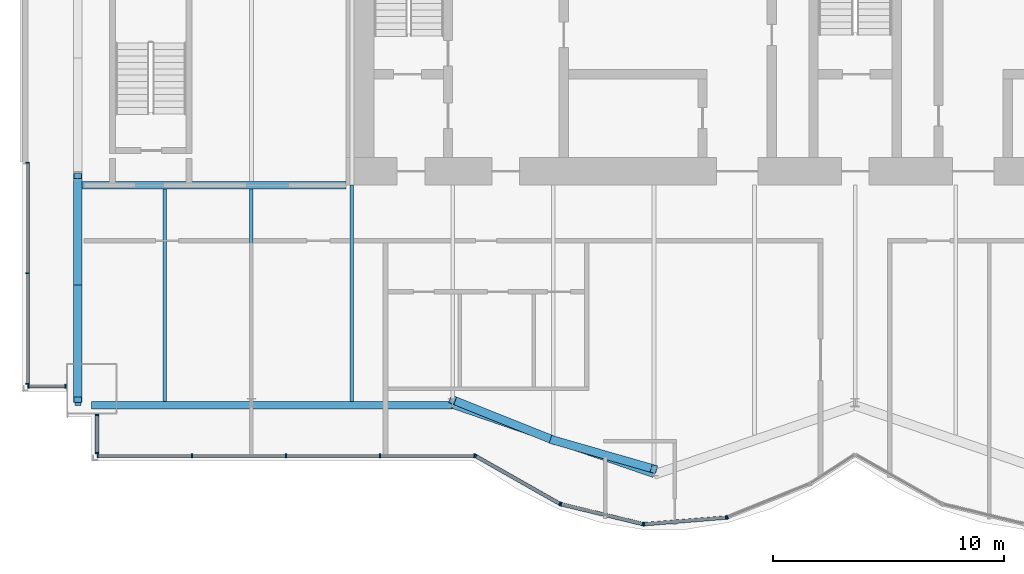
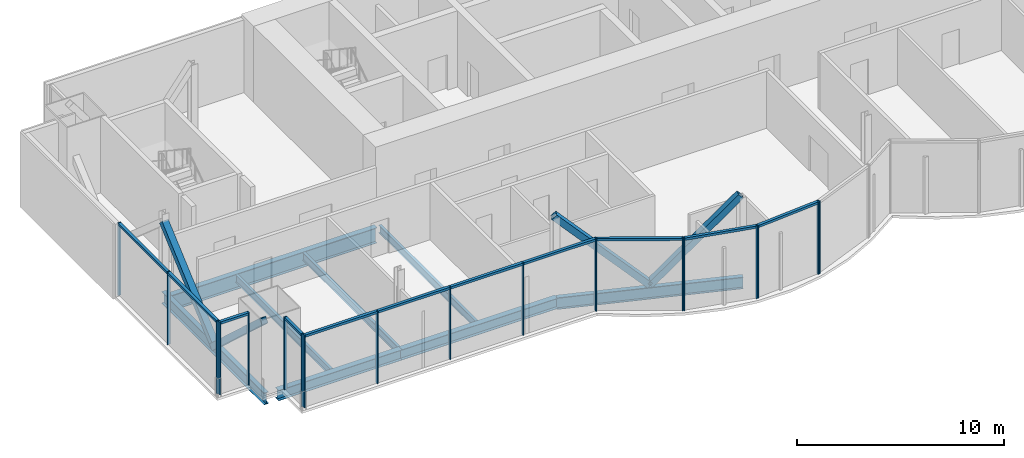
# One storey, part 3 of 16: 34 members, 8 beams, 5 elements without a shape of their own.
"""IFC4 building model written with IfcOpenShell, lengths in metres."""

from ifc_helpers import new_model, si_unit, direction, frame, origin, origin_2d, place, context, subcontext, project, spatial, rectangle, hollow_rectangle, i_section, extrude, material, material_profile, profile_set, type_object, element, aggregate, save


model = new_model("IFC4")

# Units and contexts
model_context = context("Model", 3, precision=1e-05, world=origin(), true_north=direction((0.0, 1.0)))
body_context = subcontext(model_context, "Body", "Model", "MODEL_VIEW")
ifc_project = project(units=[si_unit("LENGTHUNIT", "METRE"), si_unit("AREAUNIT", "SQUARE_METRE"), si_unit("VOLUMEUNIT", "CUBIC_METRE"), si_unit("PLANEANGLEUNIT", "RADIAN"), si_unit("MASSUNIT", "GRAM", prefix="KILO")], contexts=[model_context])

# Site, building, storey
site_placement = place(None, origin())
site = spatial("IfcSite", under=ifc_project, at=site_placement, CompositionType="ELEMENT")
building_placement = place(site_placement, origin())
building = spatial("IfcBuilding", under=site, at=building_placement, Name="Bicima Exchange Tower", CompositionType="ELEMENT")
storey_placement = place(building_placement, frame((0.0, 0.0, 338.0)))
storey = spatial("IfcBuildingStorey", under=building, at=storey_placement, Name="L76", CompositionType="ELEMENT", Elevation=338.0)

# Beam
ifc_material_1 = material(Name="Steel ASTM A992 Gr 50", Category="steel")
ifc_material_profile_1 = material_profile(ifc_material_1, i_section(OverallWidth=0.3046875, OverallDepth=0.911865234375, WebThickness=0.015869140625, FlangeThickness=0.02392578125, at=origin_2d()))
ifc_profile_set_1 = profile_set([ifc_material_profile_1], Name="Steel ASTM A992 Gr 50")
beam_type_1 = type_object("IfcBeamType", Name="Core-line girder W36x150", PredefinedType="BEAM", material=ifc_profile_set_1)
beam_1_placement = place(storey_placement, frame((-22.0, -13.0, -0.60595703125), z_axis=(-1.0, 0.0, 0.0), x_axis=(0.0, -1.0, 0.0)))
element("IfcBeam", 1, at=beam_1_placement, inside=storey, type_object=beam_type_1, Name="Core-line girder", PredefinedType="BEAM", context=body_context, shape_type="SweptSolid", body=[
    extrude(i_section(OverallWidth=0.3046875, OverallDepth=0.911865234375, WebThickness=0.015869140625, FlangeThickness=0.02392578125, at=origin_2d()), origin(), (0.0, 0.0, 1.0), 11.60009765625),
])

# Curtain wall, members
ifc_material_2 = material(Name="Anodised bronze aluminium", Category="aluminium")
curtain_wall_type_1 = type_object("IfcCurtainWallType", Name="End face glass wall", PredefinedType="NOTDEFINED", material=ifc_material_2)
curtain_wall_1_placement = place(storey_placement, origin())
curtain_wall_1 = element("IfcCurtainWall", 2, at=curtain_wall_1_placement, inside=storey, type_object=curtain_wall_type_1, Name="End face glass wall L76 run 2", PredefinedType="NOTDEFINED")
ifc_material_profile_2 = material_profile(ifc_material_2, rectangle(XDim=0.159912109375, YDim=0.06005859375, at=origin_2d()))
ifc_profile_set_2 = profile_set([ifc_material_profile_2], Name="Anodised bronze aluminium")
member_type_1 = type_object("IfcMemberType", Name="End face glass wall mullion 60 x 160", PredefinedType="MULLION", material=ifc_profile_set_2)
member_1_placement = place(storey_placement, frame((-35.77001953125, -12.030029296875, 0.0), z_axis=(0.0, 0.0, 1.0), x_axis=(1.0, 0.0, 0.0)))
member_1 = element("IfcMember", 3, at=member_1_placement, type_object=member_type_1, Name="End face glass wall mullion 1", PredefinedType="MULLION", context=body_context, shape_type="SweptSolid", body=[
    extrude(rectangle(XDim=0.159912109375, YDim=0.06005859375, at=origin_2d()), origin(), (0.0, 0.0, 1.0), 4.300048828125),
])
member_2_placement = place(storey_placement, frame((-35.77001953125, -16.804931640625, 0.0), z_axis=(0.0, 0.0, 1.0), x_axis=(1.0, 0.0, 0.0)))
member_2 = element("IfcMember", 4, at=member_2_placement, type_object=member_type_1, Name="End face glass wall mullion 2", PredefinedType="MULLION", context=body_context, shape_type="SweptSolid", body=[
    extrude(rectangle(XDim=0.159912109375, YDim=0.06005859375, at=origin_2d()), origin(), (0.0, 0.0, 1.0), 4.300048828125),
])
member_3_placement = place(storey_placement, frame((-35.77001953125, -21.580078125, 0.0), z_axis=(0.0, 0.0, 1.0), x_axis=(1.0, 0.0, 0.0)))
member_3 = element("IfcMember", 5, at=member_3_placement, type_object=member_type_1, Name="End face glass wall mullion 3", PredefinedType="MULLION", context=body_context, shape_type="SweptSolid", body=[
    extrude(rectangle(XDim=0.159912109375, YDim=0.06005859375, at=origin_2d()), origin(), (0.0, 0.0, 1.0), 4.300048828125),
])
ifc_material_profile_3 = material_profile(ifc_material_2, rectangle(XDim=0.159912109375, YDim=0.139892578125, at=origin_2d()))
ifc_profile_set_3 = profile_set([ifc_material_profile_3], Name="Anodised bronze aluminium")
member_type_2 = type_object("IfcMemberType", Name="End face glass wall transom 140 x 160", PredefinedType="USERDEFINED", material=ifc_profile_set_3)
member_4_placement = place(storey_placement, frame((-35.77001953125, -12.06005859375, 4.22998046875), z_axis=(0.0, -1.0, 0.0), x_axis=(1.0, 0.0, 0.0)))
member_4 = element("IfcMember", 6, at=member_4_placement, type_object=member_type_2, Name="End face glass wall transom 1.1", ObjectType="TRANSOM", PredefinedType="USERDEFINED", context=body_context, shape_type="SweptSolid", body=[
    extrude(rectangle(XDim=0.159912109375, YDim=0.139892578125, at=origin_2d()), origin(), (0.0, 0.0, 1.0), 4.71484375),
])
member_5_placement = place(storey_placement, frame((-35.77001953125, -16.8349609375, 4.22998046875), z_axis=(0.0, -1.0, 0.0), x_axis=(1.0, 0.0, 0.0)))
member_5 = element("IfcMember", 7, at=member_5_placement, type_object=member_type_2, Name="End face glass wall transom 2.1", ObjectType="TRANSOM", PredefinedType="USERDEFINED", context=body_context, shape_type="SweptSolid", body=[
    extrude(rectangle(XDim=0.159912109375, YDim=0.139892578125, at=origin_2d()), origin(), (0.0, 0.0, 1.0), 4.715087890625),
])
aggregate(curtain_wall_1, [member_1, member_2, member_3, member_4, member_5])

# Beams
ifc_material_profile_4 = material_profile(ifc_material_1, i_section(OverallWidth=0.256591796875, OverallDepth=0.693359375, WebThickness=0.014404296875, FlangeThickness=0.023681640625, at=origin_2d()))
ifc_profile_set_4 = profile_set([ifc_material_profile_4], Name="Steel ASTM A992 Gr 50")
beam_type_2 = type_object("IfcBeamType", Name="End girder W27x114", PredefinedType="BEAM", material=ifc_profile_set_4)
beam_2_placement = place(storey_placement, frame((-33.60009765625, -12.60009765625, -0.49658203125), z_axis=(0.0, -1.0, 0.0), x_axis=(1.0, 0.0, 0.0)))
element("IfcBeam", 8, at=beam_2_placement, inside=storey, type_object=beam_type_2, Name="End girder", PredefinedType="BEAM", context=body_context, shape_type="SweptSolid", body=[
    extrude(i_section(OverallWidth=0.256591796875, OverallDepth=0.693359375, WebThickness=0.014404296875, FlangeThickness=0.023681640625, at=origin_2d()), origin(), (0.0, 0.0, 1.0), 9.919921875),
])
ifc_material_profile_5 = material_profile(ifc_material_1, i_section(OverallWidth=0.15283203125, OverallDepth=0.45458984375, WebThickness=0.008056640625, FlangeThickness=0.013427734375, at=origin_2d()))
ifc_profile_set_5 = profile_set([ifc_material_profile_5], Name="Steel ASTM A992 Gr 50")
beam_type_3 = type_object("IfcBeamType", Name="Floor beam W18x40", PredefinedType="JOIST", material=ifc_profile_set_5)
for number, where, z_axis, x_axis, name in (
    (9, (-29.85009765625, -13.15234375, -0.377197265625), (0.0, -1.0, 0.0), (1.0, 0.0, 0.0), "Floor beam"),
    (10, (-26.10009765625, -13.15234375, -0.377197265625), (0.0, -1.0, 0.0), (1.0, 0.0, 0.0), "Floor beam"),
):
    element("IfcBeam", number, at=place(storey_placement, frame(where, z_axis=z_axis, x_axis=x_axis)), inside=storey, type_object=beam_type_3, Name=name, PredefinedType="JOIST", context=body_context, shape_type="SweptSolid", body=[
        extrude(i_section(OverallWidth=0.15283203125, OverallDepth=0.45458984375, WebThickness=0.008056640625, FlangeThickness=0.013427734375, at=origin_2d()), origin(), (0.0, 0.0, 1.0), 9.205078125),
    ])
beam_3_placement = place(storey_placement, frame((-21.75, -13.0, -0.377197265625), z_axis=(0.0, -1.0, 0.0), x_axis=(1.0, 0.0, 0.0)))
element("IfcBeam", 11, at=beam_3_placement, inside=storey, type_object=beam_type_3, Name="Floor beam", PredefinedType="JOIST", context=body_context, shape_type="SweptSolid", body=[
    extrude(i_section(OverallWidth=0.15283203125, OverallDepth=0.45458984375, WebThickness=0.008056640625, FlangeThickness=0.013427734375, at=origin_2d()), origin(), (0.0, 0.0, 1.0), 9.357421875),
])
ifc_material_profile_6 = material_profile(ifc_material_1, i_section(OverallWidth=0.3251953125, OverallDepth=0.612060546875, WebThickness=0.0126953125, FlangeThickness=0.01904296875, at=origin_2d()))
ifc_profile_set_6 = profile_set([ifc_material_profile_6], Name="Steel ASTM A992 Gr 50")
beam_type_4 = type_object("IfcBeamType", Name="Front girder W24x104", PredefinedType="BEAM", material=ifc_profile_set_6)
beam_4_placement = place(storey_placement, frame((-33.0, -22.52001953125, -0.4560546875), z_axis=(1.0, 0.0, 0.0), x_axis=(0.0, 1.0, 0.0)))
element("IfcBeam", 12, at=beam_4_placement, inside=storey, type_object=beam_type_4, Name="Front girder", PredefinedType="BEAM", context=body_context, shape_type="SweptSolid", body=[
    extrude(i_section(OverallWidth=0.3251953125, OverallDepth=0.612060546875, WebThickness=0.0126953125, FlangeThickness=0.01904296875, at=origin_2d()), origin(), (0.0, 0.0, 1.0), 6.89990234375),
])
beam_5_placement = place(storey_placement, frame((-26.10009765625, -22.52001953125, -0.4560546875), z_axis=(1.0, 0.0, 0.0), x_axis=(0.0, 1.0, 0.0)))
element("IfcBeam", 13, at=beam_5_placement, inside=storey, type_object=beam_type_4, Name="Front girder", PredefinedType="BEAM", context=body_context, shape_type="SweptSolid", body=[
    extrude(i_section(OverallWidth=0.3251953125, OverallDepth=0.612060546875, WebThickness=0.0126953125, FlangeThickness=0.01904296875, at=origin_2d()), origin(), (0.0, 0.0, 1.0), 8.7001953125),
])
beam_type_5 = type_object("IfcBeamType", Name="Front girder W27x114", PredefinedType="BEAM", material=ifc_profile_set_4)
beam_6_placement = place(storey_placement, frame((-17.39990234375, -22.52001953125, -0.49658203125), z_axis=(0.945674616091, -0.32511462668, 0.0), x_axis=(0.32511462668, 0.945674616091, 0.0)))
element("IfcBeam", 14, at=beam_6_placement, inside=storey, type_object=beam_type_5, Name="Front girder", PredefinedType="BEAM", context=body_context, shape_type="SweptSolid", body=[
    extrude(i_section(OverallWidth=0.256591796875, OverallDepth=0.693359375, WebThickness=0.014404296875, FlangeThickness=0.023681640625, at=origin_2d()), origin(), (0.0, 0.0, 1.0), 9.19970703125),
])

# Curtain wall, members
curtain_wall_type_2 = type_object("IfcCurtainWallType", Name="Front glass wall", PredefinedType="NOTDEFINED", material=ifc_material_2)
curtain_wall_2_placement = place(storey_placement, origin())
curtain_wall_2 = element("IfcCurtainWall", 15, at=curtain_wall_2_placement, inside=storey, type_object=curtain_wall_type_2, Name="Front glass wall L76 run 3", PredefinedType="NOTDEFINED")
member_type_3 = type_object("IfcMemberType", Name="Front glass wall mullion 60 x 160", PredefinedType="MULLION", material=ifc_profile_set_2)
member_6_placement = place(storey_placement, frame((-35.739990234375, -21.68994140625, 0.0), z_axis=(0.0, 0.0, 1.0), x_axis=(0.0, 1.0, 0.0)))
member_6 = element("IfcMember", 16, at=member_6_placement, type_object=member_type_3, Name="Front glass wall mullion 1", PredefinedType="MULLION", context=body_context, shape_type="SweptSolid", body=[
    extrude(rectangle(XDim=0.159912109375, YDim=0.06005859375, at=origin_2d()), origin(), (0.0, 0.0, 1.0), 4.300048828125),
])
member_7_placement = place(storey_placement, frame((-34.1298828125, -21.68994140625, 0.0), z_axis=(0.0, 0.0, 1.0), x_axis=(0.0, 1.0, 0.0)))
member_7 = element("IfcMember", 17, at=member_7_placement, type_object=member_type_3, Name="Front glass wall mullion 2", PredefinedType="MULLION", context=body_context, shape_type="SweptSolid", body=[
    extrude(rectangle(XDim=0.159912109375, YDim=0.06005859375, at=origin_2d()), origin(), (0.0, 0.0, 1.0), 4.300048828125),
])

curtain_wall_3_placement = place(storey_placement, origin())
curtain_wall_3 = element("IfcCurtainWall", 18, at=curtain_wall_3_placement, inside=storey, type_object=curtain_wall_type_2, Name="Front glass wall L76 run 4", PredefinedType="NOTDEFINED")
member_8_placement = place(storey_placement, frame((-32.77001953125, -22.927978515625, 0.0), z_axis=(0.0, 0.0, 1.0), x_axis=(1.0, 0.0, 0.0)))
member_8 = element("IfcMember", 19, at=member_8_placement, type_object=member_type_3, Name="Front glass wall mullion 1", PredefinedType="MULLION", context=body_context, shape_type="SweptSolid", body=[
    extrude(rectangle(XDim=0.159912109375, YDim=0.06005859375, at=origin_2d()), origin(), (0.0, 0.0, 1.0), 4.300048828125),
])
member_9_placement = place(storey_placement, frame((-32.77001953125, -24.580078125, 0.0), z_axis=(0.0, 0.0, 1.0), x_axis=(1.0, 0.0, 0.0)))
member_9 = element("IfcMember", 20, at=member_9_placement, type_object=member_type_3, Name="Front glass wall mullion 2", PredefinedType="MULLION", context=body_context, shape_type="SweptSolid", body=[
    extrude(rectangle(XDim=0.159912109375, YDim=0.06005859375, at=origin_2d()), origin(), (0.0, 0.0, 1.0), 4.300048828125),
])

curtain_wall_4_placement = place(storey_placement, origin())
curtain_wall_4 = element("IfcCurtainWall", 21, at=curtain_wall_4_placement, inside=storey, type_object=curtain_wall_type_2, Name="Front glass wall L76 run 5", PredefinedType="NOTDEFINED")
member_10_placement = place(storey_placement, frame((-32.739990234375, -24.68994140625, 0.0), z_axis=(0.0, 0.0, 1.0), x_axis=(0.0, 1.0, 0.0)))
member_10 = element("IfcMember", 22, at=member_10_placement, type_object=member_type_3, Name="Front glass wall mullion 1", PredefinedType="MULLION", context=body_context, shape_type="SweptSolid", body=[
    extrude(rectangle(XDim=0.159912109375, YDim=0.06005859375, at=origin_2d()), origin(), (0.0, 0.0, 1.0), 4.300048828125),
])
member_11_placement = place(storey_placement, frame((-28.67041015625, -24.68994140625, 0.0), z_axis=(0.0, 0.0, 1.0), x_axis=(0.0, 1.0, 0.0)))
member_11 = element("IfcMember", 23, at=member_11_placement, type_object=member_type_3, Name="Front glass wall mullion 2", PredefinedType="MULLION", context=body_context, shape_type="SweptSolid", body=[
    extrude(rectangle(XDim=0.159912109375, YDim=0.06005859375, at=origin_2d()), origin(), (0.0, 0.0, 1.0), 4.300048828125),
])
member_12_placement = place(storey_placement, frame((-24.60107421875, -24.68994140625, 0.0), z_axis=(0.0, 0.0, 1.0), x_axis=(0.0, 1.0, 0.0)))
member_12 = element("IfcMember", 24, at=member_12_placement, type_object=member_type_3, Name="Front glass wall mullion 3", PredefinedType="MULLION", context=body_context, shape_type="SweptSolid", body=[
    extrude(rectangle(XDim=0.159912109375, YDim=0.06005859375, at=origin_2d()), origin(), (0.0, 0.0, 1.0), 4.300048828125),
])
member_13_placement = place(storey_placement, frame((-20.531494140625, -24.68994140625, 0.0), z_axis=(0.0, 0.0, 1.0), x_axis=(0.0, 1.0, 0.0)))
member_13 = element("IfcMember", 25, at=member_13_placement, type_object=member_type_3, Name="Front glass wall mullion 4", PredefinedType="MULLION", context=body_context, shape_type="SweptSolid", body=[
    extrude(rectangle(XDim=0.159912109375, YDim=0.06005859375, at=origin_2d()), origin(), (0.0, 0.0, 1.0), 4.300048828125),
])
member_14_placement = place(storey_placement, frame((-16.462158203125, -24.68994140625, 0.0), z_axis=(0.0, 0.0, 1.0), x_axis=(0.0, 1.0, 0.0)))
member_14 = element("IfcMember", 26, at=member_14_placement, type_object=member_type_3, Name="Front glass wall mullion 5", PredefinedType="MULLION", context=body_context, shape_type="SweptSolid", body=[
    extrude(rectangle(XDim=0.159912109375, YDim=0.06005859375, at=origin_2d()), origin(), (0.0, 0.0, 1.0), 4.300048828125),
])

curtain_wall_5_placement = place(storey_placement, origin())
curtain_wall_5 = element("IfcCurtainWall", 27, at=curtain_wall_5_placement, inside=storey, type_object=curtain_wall_type_2, Name="Front glass wall L76 run 6", PredefinedType="NOTDEFINED")
member_15_placement = place(storey_placement, frame((-16.406005859375, -24.704833984375, 0.0), z_axis=(0.0, 0.0, 1.0), x_axis=(0.493395449343, 0.869805110681, 0.0)))
member_15 = element("IfcMember", 28, at=member_15_placement, type_object=member_type_3, Name="Front glass wall mullion 1", PredefinedType="MULLION", context=body_context, shape_type="SweptSolid", body=[
    extrude(rectangle(XDim=0.159912109375, YDim=0.06005859375, at=origin_2d()), origin(), (0.0, 0.0, 1.0), 4.300048828125),
])
member_16_placement = place(storey_placement, frame((-12.7734375, -26.765380859375, 0.0), z_axis=(0.0, 0.0, 1.0), x_axis=(0.493395449343, 0.869805110681, 0.0)))
member_16 = element("IfcMember", 29, at=member_16_placement, type_object=member_type_3, Name="Front glass wall mullion 2", PredefinedType="MULLION", context=body_context, shape_type="SweptSolid", body=[
    extrude(rectangle(XDim=0.159912109375, YDim=0.06005859375, at=origin_2d()), origin(), (0.0, 0.0, 1.0), 4.300048828125),
])
member_17_placement = place(storey_placement, frame((-12.718017578125, -26.787353515625, 0.0), z_axis=(0.0, 0.0, 1.0), x_axis=(0.235681529503, 0.971830343553, 0.0)))
member_17 = element("IfcMember", 30, at=member_17_placement, type_object=member_type_3, Name="Front glass wall mullion 1", PredefinedType="MULLION", context=body_context, shape_type="SweptSolid", body=[
    extrude(rectangle(XDim=0.159912109375, YDim=0.06005859375, at=origin_2d()), origin(), (0.0, 0.0, 1.0), 4.300048828125),
])
member_18_placement = place(storey_placement, frame((-9.177490234375, -27.64599609375, 0.0), z_axis=(0.0, 0.0, 1.0), x_axis=(0.235681529503, 0.971830343553, 0.0)))
member_18 = element("IfcMember", 31, at=member_18_placement, type_object=member_type_3, Name="Front glass wall mullion 2", PredefinedType="MULLION", context=body_context, shape_type="SweptSolid", body=[
    extrude(rectangle(XDim=0.159912109375, YDim=0.06005859375, at=origin_2d()), origin(), (0.0, 0.0, 1.0), 4.300048828125),
])
member_19_placement = place(storey_placement, frame((-9.118408203125, -27.650634765625, 0.0), z_axis=(0.0, 0.0, 1.0), x_axis=(-0.080588612633, 0.99674744821, 0.0)))
member_19 = element("IfcMember", 32, at=member_19_placement, type_object=member_type_3, Name="Front glass wall mullion 1", PredefinedType="MULLION", context=body_context, shape_type="SweptSolid", body=[
    extrude(rectangle(XDim=0.159912109375, YDim=0.06005859375, at=origin_2d()), origin(), (0.0, 0.0, 1.0), 4.300048828125),
])
member_20_placement = place(storey_placement, frame((-5.583984375, -27.36474609375, 0.0), z_axis=(0.0, 0.0, 1.0), x_axis=(-0.080588612633, 0.99674744821, 0.0)))
member_20 = element("IfcMember", 33, at=member_20_placement, type_object=member_type_3, Name="Front glass wall mullion 2", PredefinedType="MULLION", context=body_context, shape_type="SweptSolid", body=[
    extrude(rectangle(XDim=0.159912109375, YDim=0.06005859375, at=origin_2d()), origin(), (0.0, 0.0, 1.0), 4.300048828125),
])
member_21_placement = place(storey_placement, frame((-5.526123046875, -27.351318359375, 0.0), z_axis=(0.0, 0.0, 1.0), x_axis=(-0.374705304, 0.92714396679, 0.0)))
member_21 = element("IfcMember", 34, at=member_21_placement, type_object=member_type_3, Name="Front glass wall mullion 1", PredefinedType="MULLION", context=body_context, shape_type="SweptSolid", body=[
    extrude(rectangle(XDim=0.159912109375, YDim=0.06005859375, at=origin_2d()), origin(), (0.0, 0.0, 1.0), 4.300048828125),
])

# Member
member_type_4 = type_object("IfcMemberType", Name="Front glass wall transom 140 x 160", PredefinedType="USERDEFINED", material=ifc_profile_set_3)
member_22_placement = place(storey_placement, frame((-35.7099609375, -21.68994140625, 4.22998046875), z_axis=(1.0, 0.0, 0.0), x_axis=(0.0, 1.0, 0.0)))
member_22 = element("IfcMember", 35, at=member_22_placement, type_object=member_type_4, Name="Front glass wall transom 1.1", ObjectType="TRANSOM", PredefinedType="USERDEFINED", context=body_context, shape_type="SweptSolid", body=[
    extrude(rectangle(XDim=0.159912109375, YDim=0.139892578125, at=origin_2d()), origin(), (0.0, 0.0, 1.0), 1.550048828125),
])

aggregate(curtain_wall_2, [member_6, member_7, member_22])

member_23_placement = place(storey_placement, frame((-32.77001953125, -22.9580078125, 4.22998046875), z_axis=(0.0, -1.0, 0.0), x_axis=(1.0, 0.0, 0.0)))
member_23 = element("IfcMember", 36, at=member_23_placement, type_object=member_type_4, Name="Front glass wall transom 1.1", ObjectType="TRANSOM", PredefinedType="USERDEFINED", context=body_context, shape_type="SweptSolid", body=[
    extrude(rectangle(XDim=0.159912109375, YDim=0.139892578125, at=origin_2d()), origin(), (0.0, 0.0, 1.0), 1.592041015625),
])

aggregate(curtain_wall_3, [member_8, member_9, member_23])

member_24_placement = place(storey_placement, frame((-32.7099609375, -24.68994140625, 4.22998046875), z_axis=(1.0, 0.0, 0.0), x_axis=(0.0, 1.0, 0.0)))
member_24 = element("IfcMember", 37, at=member_24_placement, type_object=member_type_4, Name="Front glass wall transom 1.1", ObjectType="TRANSOM", PredefinedType="USERDEFINED", context=body_context, shape_type="SweptSolid", body=[
    extrude(rectangle(XDim=0.159912109375, YDim=0.139892578125, at=origin_2d()), origin(), (0.0, 0.0, 1.0), 4.009521484375),
])

member_25_placement = place(storey_placement, frame((-28.640380859375, -24.68994140625, 4.22998046875), z_axis=(1.0, 0.0, 0.0), x_axis=(0.0, 1.0, 0.0)))
member_25 = element("IfcMember", 38, at=member_25_placement, type_object=member_type_4, Name="Front glass wall transom 2.1", ObjectType="TRANSOM", PredefinedType="USERDEFINED", context=body_context, shape_type="SweptSolid", body=[
    extrude(rectangle(XDim=0.159912109375, YDim=0.139892578125, at=origin_2d()), origin(), (0.0, 0.0, 1.0), 4.00927734375),
])

member_26_placement = place(storey_placement, frame((-24.571044921875, -24.68994140625, 4.22998046875), z_axis=(1.0, 0.0, 0.0), x_axis=(0.0, 1.0, 0.0)))
member_26 = element("IfcMember", 39, at=member_26_placement, type_object=member_type_4, Name="Front glass wall transom 3.1", ObjectType="TRANSOM", PredefinedType="USERDEFINED", context=body_context, shape_type="SweptSolid", body=[
    extrude(rectangle(XDim=0.159912109375, YDim=0.139892578125, at=origin_2d()), origin(), (0.0, 0.0, 1.0), 4.009521484375),
])

member_27_placement = place(storey_placement, frame((-20.501708984375, -24.68994140625, 4.22998046875), z_axis=(1.0, 0.0, 0.0), x_axis=(0.0, 1.0, 0.0)))
member_27 = element("IfcMember", 40, at=member_27_placement, type_object=member_type_4, Name="Front glass wall transom 4.1", ObjectType="TRANSOM", PredefinedType="USERDEFINED", context=body_context, shape_type="SweptSolid", body=[
    extrude(rectangle(XDim=0.159912109375, YDim=0.139892578125, at=origin_2d()), origin(), (0.0, 0.0, 1.0), 4.009521484375),
])

aggregate(curtain_wall_4, [member_10, member_11, member_12, member_13, member_14, member_24, member_25, member_26, member_27])

member_28_placement = place(storey_placement, frame((-16.3798828125, -24.719482421875, 4.22998046875), z_axis=(0.869797371721, -0.49340909208, 0.0), x_axis=(0.49340909208, 0.869797371721, 0.0)))
member_28 = element("IfcMember", 41, at=member_28_placement, type_object=member_type_4, Name="Front glass wall transom 1.1", ObjectType="TRANSOM", PredefinedType="USERDEFINED", context=body_context, shape_type="SweptSolid", body=[
    extrude(rectangle(XDim=0.159912109375, YDim=0.139892578125, at=origin_2d()), origin(), (0.0, 0.0, 1.0), 4.1162109375),
])

member_29_placement = place(storey_placement, frame((-12.68896484375, -26.794189453125, 4.22998046875), z_axis=(0.971817951661, -0.235732621477, 0.0), x_axis=(0.235732621477, 0.971817951661, 0.0)))
member_29 = element("IfcMember", 42, at=member_29_placement, type_object=member_type_4, Name="Front glass wall transom 1.1", ObjectType="TRANSOM", PredefinedType="USERDEFINED", context=body_context, shape_type="SweptSolid", body=[
    extrude(rectangle(XDim=0.159912109375, YDim=0.139892578125, at=origin_2d()), origin(), (0.0, 0.0, 1.0), 3.58349609375),
])

member_30_placement = place(storey_placement, frame((-9.08837890625, -27.648193359375, 4.22998046875), z_axis=(0.9967456465, 0.080610893699, 0.0), x_axis=(-0.080610893699, 0.9967456465, 0.0)))
member_30 = element("IfcMember", 43, at=member_30_placement, type_object=member_type_4, Name="Front glass wall transom 1.1", ObjectType="TRANSOM", PredefinedType="USERDEFINED", context=body_context, shape_type="SweptSolid", body=[
    extrude(rectangle(XDim=0.159912109375, YDim=0.139892578125, at=origin_2d()), origin(), (0.0, 0.0, 1.0), 3.48583984375),
])

aggregate(curtain_wall_5, [member_15, member_16, member_28, member_17, member_18, member_29, member_19, member_20, member_30, member_21])

# Members
ifc_material_3 = material(Name="Steel ASTM A572 Gr 50", Category="steel")
ifc_material_profile_7 = material_profile(ifc_material_3, hollow_rectangle(XDim=0.355712890625, YDim=0.355712890625, WallThickness=0.01171875, at=origin_2d()))
ifc_profile_set_7 = profile_set([ifc_material_profile_7], Name="Steel ASTM A572 Gr 50")
member_type_5 = type_object("IfcMemberType", Name="Mega brace HSS14x14x1/2", PredefinedType="BRACE", material=ifc_profile_set_7)
member_31_placement = place(storey_placement, frame((-13.050048828125, -24.015380859375, 0.0), z_axis=(0.681534473108, -0.196106591291, 0.705019834343), x_axis=(0.276522876258, 0.961007335511, 0.0)))
element("IfcMember", 44, at=member_31_placement, inside=storey, type_object=member_type_5, Name="Mega brace front", PredefinedType="BRACE", context=body_context, shape_type="SweptSolid", body=[
    extrude(hollow_rectangle(XDim=0.355712890625, YDim=0.355712890625, WallThickness=0.01171875, at=origin_2d()), origin(), (0.0, 0.0, 1.0), 6.3828125),
])
member_32_placement = place(storey_placement, frame((-13.050048828125, -24.015380859375, 0.0), z_axis=(-0.669627633412, 0.267783402821, 0.692741569234), x_axis=(-0.371309808925, -0.928509033772, 0.0)))
element("IfcMember", 45, at=member_32_placement, inside=storey, type_object=member_type_5, Name="Mega brace front", PredefinedType="BRACE", context=body_context, shape_type="SweptSolid", body=[
    extrude(hollow_rectangle(XDim=0.355712890625, YDim=0.355712890625, WallThickness=0.01171875, at=origin_2d()), origin(), (0.0, 0.0, 1.0), 6.495849609375),
])
member_33_placement = place(storey_placement, frame((-33.60009765625, -17.43798828125, -0.49658203125), z_axis=(0.0, -0.735999852055, 0.67698169678), x_axis=(1.0, 0.0, 0.0)))
element("IfcMember", 46, at=member_33_placement, inside=storey, type_object=member_type_5, Name="Mega brace west end", PredefinedType="BRACE", context=body_context, shape_type="SweptSolid", body=[
    extrude(hollow_rectangle(XDim=0.355712890625, YDim=0.355712890625, WallThickness=0.01171875, at=origin_2d()), origin(), (0.0, 0.0, 1.0), 6.5732421875),
])
member_34_placement = place(storey_placement, frame((-33.60009765625, -17.681884765625, -0.49658203125), z_axis=(0.0, 0.752328114181, 0.658788591745), x_axis=(-1.0, 0.0, 0.0)))
element("IfcMember", 47, at=member_34_placement, inside=storey, type_object=member_type_5, Name="Mega brace west end", PredefinedType="BRACE", context=body_context, shape_type="SweptSolid", body=[
    extrude(hollow_rectangle(XDim=0.355712890625, YDim=0.355712890625, WallThickness=0.01171875, at=origin_2d()), origin(), (0.0, 0.0, 1.0), 6.754638671875),
])

save(model, "model.ifc")
